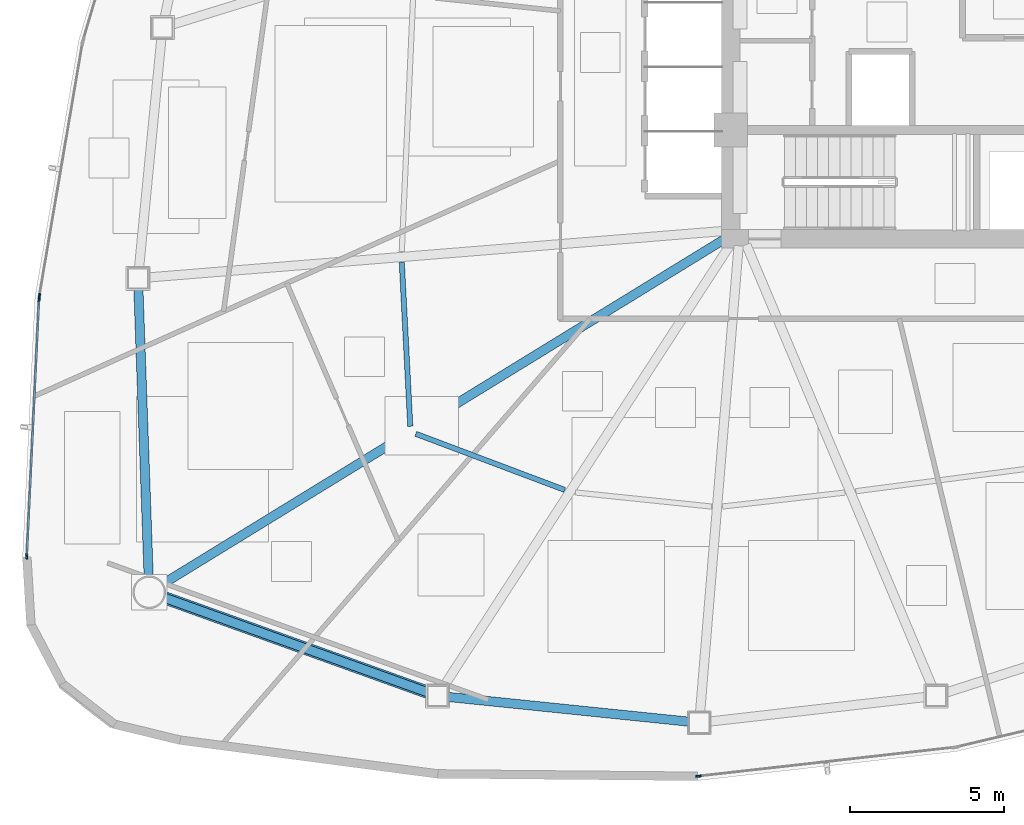
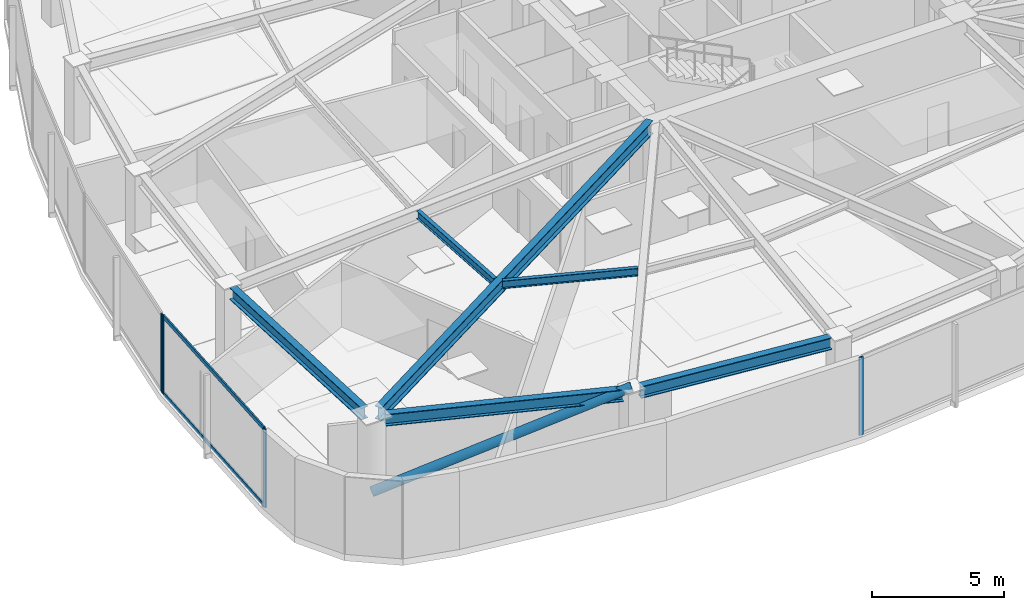
# One storey, part 2 of 17: 7 members, 6 beams, 3 elements without a shape of their own.
"""IFC4 building model written with IfcOpenShell, lengths in metres."""

from ifc_helpers import new_model, si_unit, direction, frame, origin, origin_2d, place, context, subcontext, project, spatial, hollow_rectangle, hollow_circle, i_section, extrude, source, transform, mapped, material, layer, layer_set, material_profile, profile_set, type_object, type_shapes, element, aggregate, save


model = new_model("IFC4")

# Units and contexts
model_context = context("Model", 3, precision=1e-05, world=origin(), true_north=direction((0.0, 1.0)))
body_context = subcontext(model_context, "Body", "Model", "MODEL_VIEW")
ifc_project = project(units=[si_unit("LENGTHUNIT", "METRE"), si_unit("AREAUNIT", "SQUARE_METRE"), si_unit("VOLUMEUNIT", "CUBIC_METRE"), si_unit("PLANEANGLEUNIT", "RADIAN"), si_unit("MASSUNIT", "GRAM", prefix="KILO")], contexts=[model_context])

# Site, building, storey
site_placement = place(None, origin())
site = spatial("IfcSite", under=ifc_project, at=site_placement, CompositionType="ELEMENT")
building_placement = place(site_placement, origin())
building = spatial("IfcBuilding", under=site, at=building_placement, Name="Tavelor Broadcast Tower", CompositionType="ELEMENT")
storey_placement = place(building_placement, frame((0.0, 0.0, 66.60009765625)))
storey = spatial("IfcBuildingStorey", under=building, at=storey_placement, Name="L15", CompositionType="ELEMENT", Elevation=66.60009765625)

# Beams
ifc_material_1 = material(Name="Steel S355", Category="steel")
ifc_material_profile_1 = material_profile(ifc_material_1, i_section(OverallWidth=0.169921875, OverallDepth=0.360107421875, WebThickness=0.008056640625, FlangeThickness=0.0126953125, at=origin_2d()), Name="IPE 360")
ifc_profile_set_1 = profile_set([ifc_material_profile_1], Name="Steel S355")
beam_type_1 = type_object("IfcBeamType", Name="Composite Floor Joist T2 IPE 360", PredefinedType="JOIST", material=ifc_profile_set_1)
beam_1_placement = place(storey_placement, frame((32.386474609375, 37.72900390625, 3.419921875), z_axis=(0.051611065527, -0.998667260861, 0.0), x_axis=(0.998667260861, 0.051611065527, 0.0)))
element("IfcBeam", 1, at=beam_1_placement, inside=storey, type_object=beam_type_1, Name="L15 Secondary Composite Floor Joist 06", PredefinedType="JOIST", context=body_context, shape_type="SweptSolid", body=[
    extrude(i_section(OverallWidth=0.169921875, OverallDepth=0.360107421875, WebThickness=0.008056640625, FlangeThickness=0.0126953125, at=origin_2d()), origin(), (0.0, 0.0, 1.0), 5.340576171875),
])
beam_2_placement = place(storey_placement, frame((32.8408203125, 32.15087890625, 3.419921875), z_axis=(0.935788002818, -0.352563205371, 0.0), x_axis=(0.352563205371, 0.935788002818, 0.0)))
element("IfcBeam", 2, at=beam_2_placement, inside=storey, type_object=beam_type_1, Name="L15 Secondary Composite Floor Joist 07", PredefinedType="JOIST", context=body_context, shape_type="SweptSolid", body=[
    extrude(i_section(OverallWidth=0.169921875, OverallDepth=0.360107421875, WebThickness=0.008056640625, FlangeThickness=0.0126953125, at=origin_2d()), origin(), (0.0, 0.0, 1.0), 5.18310546875),
])
ifc_material_profile_2 = material_profile(ifc_material_1, i_section(OverallWidth=0.300048828125, OverallDepth=0.550048828125, WebThickness=0.014892578125, FlangeThickness=0.029052734375, at=origin_2d()), Name="HEB 550")
ifc_profile_set_2 = profile_set([ifc_material_profile_2], Name="Steel S355")
beam_type_2 = type_object("IfcBeamType", Name="Perimeter Spandrel Beam T2 HEB 550", PredefinedType="SPANDREL", material=ifc_profile_set_2)
beam_3_placement = place(storey_placement, frame((23.806640625, 36.880615234375, 3.324951171875), z_axis=(0.035613586899, -0.999365635005, 0.0), x_axis=(0.999365635005, 0.035613586899, 0.0)))
element("IfcBeam", 3, at=beam_3_placement, inside=storey, type_object=beam_type_2, Name="L15 Framed-Tube Ring Spandrel 06", PredefinedType="SPANDREL", context=body_context, shape_type="SweptSolid", body=[
    extrude(i_section(OverallWidth=0.300048828125, OverallDepth=0.550048828125, WebThickness=0.014892578125, FlangeThickness=0.029052734375, at=origin_2d()), origin(), (0.0, 0.0, 1.0), 9.384765625),
])
beam_4_placement = place(storey_placement, frame((24.64111328125, 26.81640625, 3.324951171875), z_axis=(0.941105692238, -0.338112519789, 0.0), x_axis=(0.338112519789, 0.941105692238, 0.0)))
element("IfcBeam", 4, at=beam_4_placement, inside=storey, type_object=beam_type_2, Name="L15 Framed-Tube Ring Spandrel 07", PredefinedType="SPANDREL", context=body_context, shape_type="SweptSolid", body=[
    extrude(i_section(OverallWidth=0.300048828125, OverallDepth=0.550048828125, WebThickness=0.014892578125, FlangeThickness=0.029052734375, at=origin_2d()), origin(), (0.0, 0.0, 1.0), 9.13134765625),
])
beam_5_placement = place(storey_placement, frame((33.885009765625, 23.581298828125, 3.324951171875), z_axis=(0.994770407806, -0.102136358626, 0.0), x_axis=(0.102136358626, 0.994770407806, 0.0)))
element("IfcBeam", 5, at=beam_5_placement, inside=storey, type_object=beam_type_2, Name="L15 Framed-Tube Ring Spandrel 08", PredefinedType="SPANDREL", context=body_context, shape_type="SweptSolid", body=[
    extrude(i_section(OverallWidth=0.300048828125, OverallDepth=0.550048828125, WebThickness=0.014892578125, FlangeThickness=0.029052734375, at=origin_2d()), origin(), (0.0, 0.0, 1.0), 7.895263671875),
])

# Member
ifc_material_profile_3 = material_profile(ifc_material_1, hollow_circle(Radius=0.203125, WallThickness=0.02001953125, at=origin_2d()), Name="CHS 406.4x20")
ifc_profile_set_3 = profile_set([ifc_material_profile_3], Name="Steel S355")
member_type_1 = type_object("IfcMemberType", Name="Perimeter Tube Brace T2 CHS 406.4x20", PredefinedType="BRACE", material=ifc_profile_set_3)
member_1_placement = place(storey_placement, frame((24.1591796875, 26.98974609375, 0.0), z_axis=(0.885264543661, -0.31806283815, 0.339326861191), x_axis=(0.338124247145, 0.941101478849, 0.0)))
element("IfcMember", 6, at=member_1_placement, inside=storey, type_object=member_type_1, Name="L15 Corner Tube Diagonal Brace 2", PredefinedType="BRACE", context=body_context, shape_type="SweptSolid", body=[
    extrude(hollow_circle(Radius=0.203125, WallThickness=0.02001953125, at=origin_2d()), origin(), (0.0, 0.0, 1.0), 10.60888671875),
])

# Beam
ifc_material_profile_4 = material_profile(ifc_material_1, i_section(OverallWidth=0.300048828125, OverallDepth=0.60009765625, WebThickness=0.015380859375, FlangeThickness=0.030029296875, at=origin_2d()), Name="HEB 600")
ifc_profile_set_4 = profile_set([ifc_material_profile_4], Name="Steel S355")
beam_type_3 = type_object("IfcBeamType", Name="Radial Floor Girder T2 HEB 600", PredefinedType="BEAM", material=ifc_profile_set_4)
beam_6_placement = place(storey_placement, frame((42.949951171875, 38.523681640625, 3.2998046875), z_axis=(-0.852254843795, -0.52312683092, 0.0), x_axis=(0.52312683092, -0.852254843795, 0.0)))
element("IfcBeam", 7, at=beam_6_placement, inside=storey, type_object=beam_type_3, Name="L15 Radial Primary Floor Girder 07", PredefinedType="BEAM", context=body_context, shape_type="SweptSolid", body=[
    extrude(i_section(OverallWidth=0.300048828125, OverallDepth=0.60009765625, WebThickness=0.015380859375, FlangeThickness=0.030029296875, at=origin_2d()), origin(), (0.0, 0.0, 1.0), 21.5361328125),
])

# Curtain wall, member
ifc_material_2 = material(Name="Architectural Anodized Aluminium", Category="aluminium")
ifc_layer = layer(ifc_material_2, 0.179931640625)
ifc_layer_set = layer_set([ifc_layer], Name="Architectural Anodized Aluminium")
curtain_wall_type = type_object("IfcCurtainWallType", Name="Tower Low-Zone Unitised Curtain Wall CW02", PredefinedType="NOTDEFINED", material=ifc_layer_set)
curtain_wall_1_placement = place(storey_placement, origin())
curtain_wall_1 = element("IfcCurtainWall", 8, at=curtain_wall_1_placement, inside=storey, type_object=curtain_wall_type, Name="L15 Curtain Wall CW02 Run 135", PredefinedType="NOTDEFINED")
ifc_material_profile_5 = material_profile(ifc_material_2, hollow_rectangle(XDim=0.06494140625, YDim=0.179931640625, WallThickness=0.02197265625, at=origin_2d()), Name="RHS 65x180x22")
ifc_profile_set_5 = profile_set([ifc_material_profile_5], Name="Architectural Anodized Aluminium")
member_type_2 = type_object("IfcMemberType", Name="CW02 Extruded Aluminium Mullion 65x180", PredefinedType="MULLION", material=ifc_profile_set_5)
shared_shape_1 = source(origin(), body_context, "Body", "SweptSolid", [
    extrude(hollow_rectangle(XDim=0.06494140625, YDim=0.179931640625, WallThickness=0.02197265625, at=origin_2d()), origin(), (0.0, 0.0, 1.0), 3.599853515625),
])
type_shapes(member_type_2, [shared_shape_1])
member_2_placement = place(storey_placement, frame((20.582275390625, 36.6337890625, 0.0), z_axis=(0.0, 0.0, 1.0), x_axis=(0.985778413403, -0.168050348611, 0.0)))
member_2 = element("IfcMember", 9, at=member_2_placement, type_object=member_type_2, Name="CW02 mullion 2", PredefinedType="MULLION", context=body_context, shape_type="MappedRepresentation", body=[
    mapped(shared_shape_1, transform((0.0, 0.0, 0.0), scale=1.0)),
])
aggregate(curtain_wall_1, [member_2])

# Curtain wall, members
curtain_wall_2_placement = place(storey_placement, origin())
curtain_wall_2 = element("IfcCurtainWall", 10, at=curtain_wall_2_placement, inside=storey, type_object=curtain_wall_type, Name="L15 Curtain Wall CW02 Run 136", PredefinedType="NOTDEFINED")
member_3_placement = place(storey_placement, frame((20.57177734375, 36.53955078125, 0.0), z_axis=(0.0, 0.0, 1.0), x_axis=(0.998870411969, -0.047517366232, 0.0)))
member_3 = element("IfcMember", 11, at=member_3_placement, type_object=member_type_2, Name="CW02 mullion 1", PredefinedType="MULLION", context=body_context, shape_type="MappedRepresentation", body=[
    mapped(shared_shape_1, transform((0.0, 0.0, 0.0), scale=1.0)),
])
member_4_placement = place(storey_placement, frame((20.17333984375, 28.162353515625, 0.0), z_axis=(0.0, 0.0, 1.0), x_axis=(0.998870411969, -0.047517366232, 0.0)))
member_4 = element("IfcMember", 12, at=member_4_placement, type_object=member_type_2, Name="CW02 mullion 2", PredefinedType="MULLION", context=body_context, shape_type="MappedRepresentation", body=[
    mapped(shared_shape_1, transform((0.0, 0.0, 0.0), scale=1.0)),
])

# Curtain wall, member
curtain_wall_3_placement = place(storey_placement, origin())
curtain_wall_3 = element("IfcCurtainWall", 13, at=curtain_wall_3_placement, inside=storey, type_object=curtain_wall_type, Name="L15 Curtain Wall CW02 Run 137", PredefinedType="NOTDEFINED")
member_5_placement = place(storey_placement, frame((42.044189453125, 20.998046875, 0.0), z_axis=(0.0, 0.0, 1.0), x_axis=(-0.111886066649, 0.993721041384, 0.0)))
member_5 = element("IfcMember", 14, at=member_5_placement, type_object=member_type_2, Name="CW02 mullion 1", PredefinedType="MULLION", context=body_context, shape_type="MappedRepresentation", body=[
    mapped(shared_shape_1, transform((0.0, 0.0, 0.0), scale=1.0)),
])
aggregate(curtain_wall_3, [member_5])

# Member
ifc_material_profile_6 = material_profile(ifc_material_2, hollow_rectangle(XDim=0.06494140625, YDim=0.179931640625, WallThickness=0.02197265625, at=origin_2d()), Name="RHS 65x180x22")
ifc_profile_set_6 = profile_set([ifc_material_profile_6], Name="Architectural Anodized Aluminium")
member_type_3 = type_object("IfcMemberType", Name="CW02 Extruded Aluminium Transom 65x180", PredefinedType="USERDEFINED", material=ifc_profile_set_6)
shared_shape_2 = source(origin(), body_context, "Body", "SweptSolid", [
    extrude(hollow_rectangle(XDim=0.06494140625, YDim=0.179931640625, WallThickness=0.02197265625, at=origin_2d()), origin(), (0.0, 0.0, 1.0), 8.32177734375),
])
type_shapes(member_type_3, [shared_shape_2])
member_6_placement = place(storey_placement, frame((20.5703125, 36.507080078125, 0.032470703125), z_axis=(-0.047527514472, -0.998869929154, 0.0), x_axis=(0.998869929154, -0.047527514472, 0.0)))
member_6 = element("IfcMember", 15, at=member_6_placement, type_object=member_type_3, Name="CW02 transom 1.1", ObjectType="TRANSOM", PredefinedType="USERDEFINED", context=body_context, shape_type="MappedRepresentation", body=[
    mapped(shared_shape_2, transform((0.0, 0.0, 0.0), scale=1.0)),
])

member_7_placement = place(storey_placement, frame((20.5703125, 36.507080078125, 3.5673828125), z_axis=(-0.047527514472, -0.998869929154, 0.0), x_axis=(0.998869929154, -0.047527514472, 0.0)))
member_7 = element("IfcMember", 16, at=member_7_placement, type_object=member_type_3, Name="CW02 transom 1.2", ObjectType="TRANSOM", PredefinedType="USERDEFINED", context=body_context, shape_type="MappedRepresentation", body=[
    mapped(shared_shape_2, transform((0.0, 0.0, 0.0), scale=1.0)),
])

aggregate(curtain_wall_2, [member_3, member_4, member_6, member_7])

save(model, "model.ifc")
